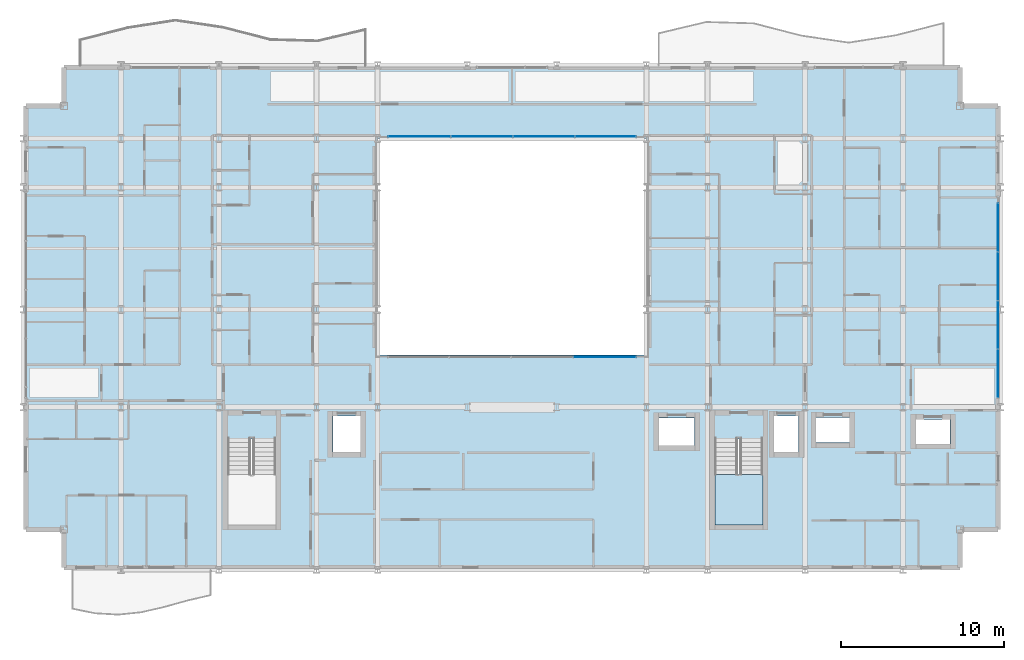
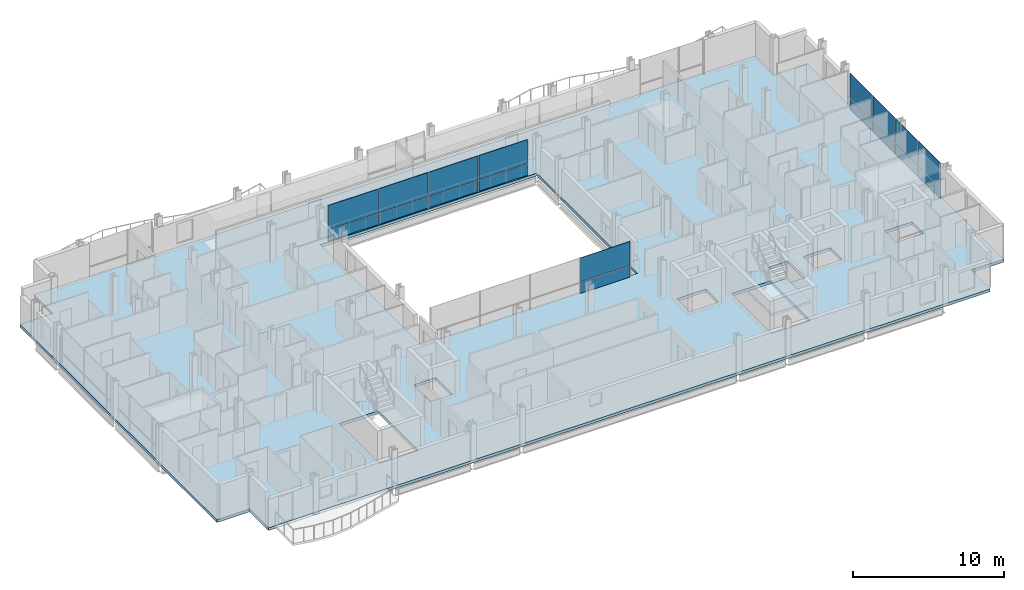
# One storey, part 27 of 41: 18 plates, 2 slabs, 4 elements without a shape of their own.
"""IFC4 building model written with IfcOpenShell, lengths in metres."""

import ifcopenshell
import ifcopenshell.guid

model = None  # the IFC model being written
_history = None  # IfcOwnerHistory: only IFC2X3 demands one
_inside = {}  # id of a spatial element -> (the spatial element, [elements in it])
_under = {}  # id of a project, library or spatial element -> (it, [spatial elements below it])
_declared = {}  # id of a project -> (the project, [libraries it declares])
_typed = {}  # id of a type object -> (the type object, [elements of that type])
_made_of = {}  # id of a material, layer set ... -> (it, [elements and type objects made of it])


def new_model(schema):
    """Start an empty IFC model of exactly this schema.

    Asked for "IFC4X3", IfcOpenShell would pick the latest addendum, in which some entities
    have other attributes; the version numbers below select the first issue.
    IFC2X3 requires an IfcOwnerHistory on every rooted entity: one is made here for all.
    """
    global model, _history
    if schema == "IFC4X3":
        model = ifcopenshell.file(schema_version=(4, 3, 0, 0))
    else:
        model = ifcopenshell.file(schema=schema)
    _inside.clear()
    _under.clear()
    _declared.clear()
    _typed.clear()
    _made_of.clear()
    _history = None
    if model.schema == "IFC2X3":
        org = make("IfcOrganization", Name="unknown")
        user = make(
            "IfcPersonAndOrganization",
            ThePerson=make("IfcPerson", FamilyName="unknown"),
            TheOrganization=org,
        )
        app = make(
            "IfcApplication",
            ApplicationDeveloper=org,
            Version="unknown",
            ApplicationFullName="unknown",
            ApplicationIdentifier="unknown",
        )
        _history = make(
            "IfcOwnerHistory",
            OwningUser=user,
            OwningApplication=app,
            ChangeAction="ADDED",
            CreationDate=0,
        )
    return model


def make(cls, **values):
    """One entity of the class cls with the attributes given. An attribute that is None is left unset."""
    return model.create_entity(
        cls, **{name: value for name, value in values.items() if value is not None}
    )


def rooted(cls, **values):
    """An entity with a GlobalId (a new one), such as an element, a storey or a relation."""
    return make(cls, GlobalId=ifcopenshell.guid.new(), OwnerHistory=_history, **values)


def si_unit(unit_type, name, prefix=None):
    """IfcSIUnit, for example si_unit("LENGTHUNIT", "METRE", prefix="MILLI")."""
    return make("IfcSIUnit", UnitType=unit_type, Prefix=prefix, Name=name)


def assignment(units):
    """IfcUnitAssignment: the units of a project."""
    return None if units is None else make("IfcUnitAssignment", Units=units)


def point(xyz):
    """IfcCartesianPoint."""
    return None if xyz is None else make("IfcCartesianPoint", Coordinates=xyz)


def direction(xyz):
    """IfcDirection."""
    return None if xyz is None else make("IfcDirection", DirectionRatios=xyz)


def frame(location, z_axis=None, x_axis=None):
    """IfcAxis2Placement3D, a coordinate frame: its origin and axes. An axis left out is left unset."""
    return make(
        "IfcAxis2Placement3D",
        Location=point(location),
        Axis=direction(z_axis),
        RefDirection=direction(x_axis),
    )


def frame_2d(location, x_axis=None):
    """IfcAxis2Placement2D, a coordinate frame in the plane: its origin and x axis."""
    return make(
        "IfcAxis2Placement2D", Location=point(location), RefDirection=direction(x_axis)
    )


def origin():
    """The frame at (0, 0, 0) with its axes left unset."""
    return frame((0.0, 0.0, 0.0))


def origin_2d():
    """The frame at (0, 0) in the plane with its x axis left unset."""
    return frame_2d((0.0, 0.0))


def place(relative_to, where):
    """IfcLocalPlacement: puts the frame where relative to a parent placement (None: the world)."""
    return make(
        "IfcLocalPlacement", PlacementRelTo=relative_to, RelativePlacement=where
    )


def context(
    kind, dimensions, precision=None, world=None, true_north=None, identifier=None
):
    """IfcGeometricRepresentationContext, for example the 3D "Model" context."""
    return make(
        "IfcGeometricRepresentationContext",
        ContextIdentifier=identifier,
        ContextType=kind,
        CoordinateSpaceDimension=dimensions,
        Precision=precision,
        WorldCoordinateSystem=world,
        TrueNorth=true_north,
    )


def subcontext(parent, identifier, kind, view, scale=None):
    """IfcGeometricRepresentationSubContext, for example "Body" below "Model"."""
    return make(
        "IfcGeometricRepresentationSubContext",
        ContextIdentifier=identifier,
        ContextType=kind,
        ParentContext=parent,
        TargetScale=scale,
        TargetView=view,
    )


def project(units=None, contexts=None):
    """IfcProject with its units and contexts."""
    return rooted(
        "IfcProject",
        Name="project",
        RepresentationContexts=contexts,
        UnitsInContext=assignment(units),
    )


def spatial(cls, under=None, at=None, **own):
    """A site, building, storey or space (cls), placed at a placement, below another one or the project."""
    s = rooted(cls, ObjectPlacement=at, **own)
    if under is not None:
        _under.setdefault(under.id(), (under, []))[1].append(s)
    return s


def polyline(points):
    """IfcPolyline through the points."""
    return make("IfcPolyline", Points=[point(p) for p in points])


def profile(cls, at=None, kind="AREA", **sizes):
    """A parametric profile (cls). Its sizes go by their IFC names, for example OverallWidth=200.0."""
    return make(cls, ProfileType=kind, Position=at, **sizes)


def rectangle(**sizes):
    """IfcRectangleProfileDef."""
    return profile("IfcRectangleProfileDef", **sizes)


def outline(outer, holes=None, kind="AREA"):
    """IfcArbitraryClosedProfileDef: a profile drawn as a closed curve; with holes, ...WithVoids."""
    if holes is None:
        return make("IfcArbitraryClosedProfileDef", ProfileType=kind, OuterCurve=outer)
    return make(
        "IfcArbitraryProfileDefWithVoids",
        ProfileType=kind,
        OuterCurve=outer,
        InnerCurves=holes,
    )


def extrude(swept, where, along, depth):
    """IfcExtrudedAreaSolid: the profile swept, set in the frame where, extruded along a direction by depth."""
    return make(
        "IfcExtrudedAreaSolid",
        SweptArea=swept,
        Position=where,
        ExtrudedDirection=direction(along),
        Depth=depth,
    )


def shape(context_of_items, identifier, shape_type, items):
    """IfcShapeRepresentation: the items that make up one representation, for example the "Body"."""
    return make(
        "IfcShapeRepresentation",
        ContextOfItems=context_of_items,
        RepresentationIdentifier=identifier,
        RepresentationType=shape_type,
        Items=items,
    )


def material(Name=None, Category=None):
    """IfcMaterial."""
    return make("IfcMaterial", Name=Name, Category=Category)


def layer(
    of_material, thickness, ventilated=None, Name=None, Category=None, Priority=None
):
    """IfcMaterialLayer: one layer of a wall or slab, of a material (None: an air gap)."""
    return make(
        "IfcMaterialLayer",
        Material=of_material,
        LayerThickness=thickness,
        IsVentilated=ventilated,
        Name=Name,
        Category=Category,
        Priority=Priority,
    )


def layer_set(layers, Name=None):
    """IfcMaterialLayerSet."""
    return make("IfcMaterialLayerSet", MaterialLayers=layers, LayerSetName=Name)


def made_of(thing, what):
    """Note that an element or type object is made of a material, layer set ...; save() writes the relation."""
    if what is not None:
        _made_of.setdefault(what.id(), (what, []))[1].append(thing)
    return thing


def type_object(cls, material=None, **own):
    """A type object (cls), such as IfcWallType, which elements share."""
    return made_of(rooted(cls, **own), material)


def element(
    cls,
    number,
    at=None,
    inside=None,
    cuts=None,
    type_object=None,
    material=None,
    context=None,
    identifier="Body",
    shape_type=None,
    held_by="IfcProductDefinitionShape",
    body=None,
    shapes=None,
    **own,
):
    """One element of the class cls, such as IfcWall. Its Tag is "e" and its number.

    at: its placement. inside: the storey or other place that contains it. cuts: it is an
    opening in that element (IfcRelVoidsElement). A single representation is given by context,
    identifier, shape_type and body (its items); several are given by shapes. held_by: the class
    of the entity that holds the representations. save() writes the other relations.
    """
    e = rooted(cls, Tag="e%d" % number, ObjectPlacement=at, **own)
    if body is not None:
        shapes = [shape(context, identifier, shape_type, body)]
    if shapes is not None:
        e.Representation = make(held_by, Representations=shapes)
    if inside is not None:
        _inside.setdefault(inside.id(), (inside, []))[1].append(e)
    if cuts is not None:
        rooted(
            "IfcRelVoidsElement", RelatingBuildingElement=cuts, RelatedOpeningElement=e
        )
    if type_object is not None:
        _typed.setdefault(type_object.id(), (type_object, []))[1].append(e)
    return made_of(e, material)


def aggregate(whole, parts):
    """IfcRelAggregates: a whole, such as a stair, and the parts it consists of."""
    return rooted("IfcRelAggregates", RelatingObject=whole, RelatedObjects=parts)


def save(model, path):
    """Write the relations noted so far, then the file.

    IfcRelAggregates (storeys below a building ...), IfcRelContainedInSpatialStructure (elements
    in a storey), IfcRelDefinesByType, IfcRelAssociatesMaterial and IfcRelDeclares: one each for
    every whole, place, type object, material and project.
    """
    for whole, parts in _under.values():
        aggregate(whole, parts)
    for where, things in _inside.values():
        rooted(
            "IfcRelContainedInSpatialStructure",
            RelatedElements=things,
            RelatingStructure=where,
        )
    for kind, things in _typed.values():
        rooted("IfcRelDefinesByType", RelatedObjects=things, RelatingType=kind)
    for what, things in _made_of.values():
        rooted("IfcRelAssociatesMaterial", RelatedObjects=things, RelatingMaterial=what)
    for by, libraries in _declared.values():
        rooted("IfcRelDeclares", RelatingContext=by, RelatedDefinitions=libraries)
    model.write(path)


model = new_model("IFC4")

# Units and contexts
model_context = context("Model", 3, precision=1e-05, world=origin(), true_north=direction((0.0, 1.0)))
body_context = subcontext(model_context, "Body", "Model", "MODEL_VIEW")
ifc_project = project(units=[si_unit("LENGTHUNIT", "METRE"), si_unit("AREAUNIT", "SQUARE_METRE"), si_unit("VOLUMEUNIT", "CUBIC_METRE"), si_unit("PLANEANGLEUNIT", "RADIAN"), si_unit("MASSUNIT", "GRAM", prefix="KILO")], contexts=[model_context])

# Site, building, storey
site_placement = place(None, origin())
site = spatial("IfcSite", under=ifc_project, at=site_placement, CompositionType="ELEMENT")
building_placement = place(site_placement, origin())
building = spatial("IfcBuilding", under=site, at=building_placement, Name="Brevholm Reach", CompositionType="ELEMENT")
storey_placement = place(building_placement, frame((0.0, 0.0, 43.5)))
storey = spatial("IfcBuildingStorey", under=building, at=storey_placement, Name="L11", CompositionType="ELEMENT", Elevation=43.5)

# Curtain wall, plates
ifc_material_1 = material(Name="Dark Anodised Aluminium 6063-T6 and Solar-Control Glass", Category="aluminium")
ifc_layer_1 = layer(ifc_material_1, 0.14990234375)
ifc_layer_set_1 = layer_set([ifc_layer_1], Name="Dark Anodised Aluminium 6063-T6 and Solar-Control Glass")
curtain_wall_type_1 = type_object("IfcCurtainWallType", Name="CW-01", PredefinedType="NOTDEFINED", material=ifc_layer_set_1)
curtain_wall_1_placement = place(storey_placement, origin())
curtain_wall_1 = element("IfcCurtainWall", 1, at=curtain_wall_1_placement, inside=storey, type_object=curtain_wall_type_1, Name="L11 Curtain Wall CW-01", PredefinedType="NOTDEFINED")
ifc_material_2 = material(Name="Dark Solar-Control Double-Glazed IGU Glass", Category="glass")
ifc_layer_2 = layer(ifc_material_2, 0.028076171875)
ifc_layer_set_2 = layer_set([ifc_layer_2], Name="Dark Solar-Control Double-Glazed IGU Glass")
plate_type_1 = type_object("IfcPlateType", Name="CWP-GLZ-28", PredefinedType="CURTAIN_PANEL", material=ifc_layer_set_2)
plate_1_placement = place(storey_placement, frame((59.85009765625, 12.066162109375, 0.0), z_axis=(0.0, 0.0, 1.0), x_axis=(0.0, 1.0, 0.0)))
plate_1 = element("IfcPlate", 2, at=plate_1_placement, type_object=plate_type_1, Name="CP-01 Glazing Panel 1.1", PredefinedType="CURTAIN_PANEL", context=body_context, shape_type="SweptSolid", body=[
    extrude(rectangle(XDim=2.902587890625, YDim=0.028076171875, at=origin_2d()), origin(), (0.0, 0.0, 1.0), 0.867431640625),
])
plate_2_placement = place(storey_placement, frame((59.85009765625, 12.066162109375, 0.9326171875), z_axis=(0.0, 0.0, 1.0), x_axis=(0.0, 1.0, 0.0)))
plate_2 = element("IfcPlate", 3, at=plate_2_placement, type_object=plate_type_1, Name="CP-01 Glazing Panel 1.2", PredefinedType="CURTAIN_PANEL", context=body_context, shape_type="SweptSolid", body=[
    extrude(rectangle(XDim=2.902587890625, YDim=0.028076171875, at=origin_2d()), origin(), (0.0, 0.0, 1.0), 1.9375),
])
plate_3_placement = place(storey_placement, frame((59.85009765625, 15.050048828125, 0.0), z_axis=(0.0, 0.0, 1.0), x_axis=(0.0, 1.0, 0.0)))
plate_3 = element("IfcPlate", 4, at=plate_3_placement, type_object=plate_type_1, Name="CP-01 Glazing Panel 2.1", PredefinedType="CURTAIN_PANEL", context=body_context, shape_type="SweptSolid", body=[
    extrude(rectangle(XDim=2.93505859375, YDim=0.028076171875, at=origin_2d()), origin(), (0.0, 0.0, 1.0), 0.867431640625),
])
plate_4_placement = place(storey_placement, frame((59.85009765625, 15.050048828125, 0.9326171875), z_axis=(0.0, 0.0, 1.0), x_axis=(0.0, 1.0, 0.0)))
plate_4 = element("IfcPlate", 5, at=plate_4_placement, type_object=plate_type_1, Name="CP-01 Glazing Panel 2.2", PredefinedType="CURTAIN_PANEL", context=body_context, shape_type="SweptSolid", body=[
    extrude(rectangle(XDim=2.93505859375, YDim=0.028076171875, at=origin_2d()), origin(), (0.0, 0.0, 1.0), 1.9375),
])
plate_5_placement = place(storey_placement, frame((59.85009765625, 18.050048828125, 0.0), z_axis=(0.0, 0.0, 1.0), x_axis=(0.0, 1.0, 0.0)))
plate_5 = element("IfcPlate", 6, at=plate_5_placement, type_object=plate_type_1, Name="CP-01 Glazing Panel 3.1", PredefinedType="CURTAIN_PANEL", context=body_context, shape_type="SweptSolid", body=[
    extrude(rectangle(XDim=2.93505859375, YDim=0.028076171875, at=origin_2d()), origin(), (0.0, 0.0, 1.0), 0.867431640625),
])
plate_6_placement = place(storey_placement, frame((59.85009765625, 18.050048828125, 0.9326171875), z_axis=(0.0, 0.0, 1.0), x_axis=(0.0, 1.0, 0.0)))
plate_6 = element("IfcPlate", 7, at=plate_6_placement, type_object=plate_type_1, Name="CP-01 Glazing Panel 3.2", PredefinedType="CURTAIN_PANEL", context=body_context, shape_type="SweptSolid", body=[
    extrude(rectangle(XDim=2.93505859375, YDim=0.028076171875, at=origin_2d()), origin(), (0.0, 0.0, 1.0), 1.9375),
])
plate_7_placement = place(storey_placement, frame((59.85009765625, 21.050048828125, 0.0), z_axis=(0.0, 0.0, 1.0), x_axis=(0.0, 1.0, 0.0)))
plate_7 = element("IfcPlate", 8, at=plate_7_placement, type_object=plate_type_1, Name="CP-01 Glazing Panel 4.1", PredefinedType="CURTAIN_PANEL", context=body_context, shape_type="SweptSolid", body=[
    extrude(rectangle(XDim=2.93505859375, YDim=0.028076171875, at=origin_2d()), origin(), (0.0, 0.0, 1.0), 0.867431640625),
])
plate_8_placement = place(storey_placement, frame((59.85009765625, 21.050048828125, 0.9326171875), z_axis=(0.0, 0.0, 1.0), x_axis=(0.0, 1.0, 0.0)))
plate_8 = element("IfcPlate", 9, at=plate_8_placement, type_object=plate_type_1, Name="CP-01 Glazing Panel 4.2", PredefinedType="CURTAIN_PANEL", context=body_context, shape_type="SweptSolid", body=[
    extrude(rectangle(XDim=2.93505859375, YDim=0.028076171875, at=origin_2d()), origin(), (0.0, 0.0, 1.0), 1.9375),
])
aggregate(curtain_wall_1, [plate_1, plate_2, plate_3, plate_4, plate_5, plate_6, plate_7, plate_8])

ifc_material_3 = material(Name="Dark Anodised Aluminium 6063-T6 and Solar-Control Glass", Category="aluminium")
ifc_layer_3 = layer(ifc_material_3, 0.139892578125)
ifc_layer_set_3 = layer_set([ifc_layer_3], Name="Dark Anodised Aluminium 6063-T6 and Solar-Control Glass")
curtain_wall_type_2 = type_object("IfcCurtainWallType", Name="CW-02", PredefinedType="NOTDEFINED", material=ifc_layer_set_3)
curtain_wall_2_placement = place(storey_placement, origin())
curtain_wall_2 = element("IfcCurtainWall", 10, at=curtain_wall_2_placement, inside=storey, type_object=curtain_wall_type_2, Name="L11 Curtain Wall CW-02", PredefinedType="NOTDEFINED")
ifc_material_4 = material(Name="Low-Iron Laminated Acoustic Glass", Category="glass")
ifc_layer_4 = layer(ifc_material_4, 0.035888671875)
ifc_layer_set_4 = layer_set([ifc_layer_4], Name="Low-Iron Laminated Acoustic Glass")
plate_type_2 = type_object("IfcPlateType", Name="CWP-GLZ-36", PredefinedType="CURTAIN_PANEL", material=ifc_layer_set_4)
plate_9_placement = place(storey_placement, frame((35.68505859375, 13.080078125, 0.0), z_axis=(0.0, 0.0, 1.0), x_axis=(1.0, 0.0, 0.0)))
plate_9 = element("IfcPlate", 11, at=plate_9_placement, type_object=plate_type_2, Name="CP-02 Glazing Panel 4.1", PredefinedType="CURTAIN_PANEL", context=body_context, shape_type="SweptSolid", body=[
    extrude(rectangle(XDim=3.81005859375, YDim=0.035888671875, at=origin_2d()), origin(), (0.0, 0.0, 1.0), 0.8701171875),
])
plate_10_placement = place(storey_placement, frame((35.68505859375, 13.080078125, 0.929931640625), z_axis=(0.0, 0.0, 1.0), x_axis=(1.0, 0.0, 0.0)))
plate_10 = element("IfcPlate", 12, at=plate_10_placement, type_object=plate_type_2, Name="CP-02 Glazing Panel 4.2", PredefinedType="CURTAIN_PANEL", context=body_context, shape_type="SweptSolid", body=[
    extrude(rectangle(XDim=3.81005859375, YDim=0.035888671875, at=origin_2d()), origin(), (0.0, 0.0, 1.0), 1.93994140625),
])
aggregate(curtain_wall_2, [plate_9, plate_10])

curtain_wall_3_placement = place(storey_placement, origin())
curtain_wall_3 = element("IfcCurtainWall", 13, at=curtain_wall_3_placement, inside=storey, type_object=curtain_wall_type_2, Name="L11 Curtain Wall CW-02", PredefinedType="NOTDEFINED")
plate_11_placement = place(storey_placement, frame((35.735107421875, 26.6201171875, 0.0), z_axis=(0.0, 0.0, 1.0), x_axis=(-1.0, 0.0, 0.0)))
plate_11 = element("IfcPlate", 14, at=plate_11_placement, type_object=plate_type_2, Name="CP-02 Glazing Panel 1.1", PredefinedType="CURTAIN_PANEL", context=body_context, shape_type="SweptSolid", body=[
    extrude(rectangle(XDim=3.7099609375, YDim=0.035888671875, at=origin_2d()), origin(), (0.0, 0.0, 1.0), 0.8701171875),
])
plate_12_placement = place(storey_placement, frame((35.735107421875, 26.6201171875, 0.929931640625), z_axis=(0.0, 0.0, 1.0), x_axis=(-1.0, 0.0, 0.0)))
plate_12 = element("IfcPlate", 15, at=plate_12_placement, type_object=plate_type_2, Name="CP-02 Glazing Panel 1.2", PredefinedType="CURTAIN_PANEL", context=body_context, shape_type="SweptSolid", body=[
    extrude(rectangle(XDim=3.7099609375, YDim=0.035888671875, at=origin_2d()), origin(), (0.0, 0.0, 1.0), 1.93994140625),
])
plate_13_placement = place(storey_placement, frame((31.949951171875, 26.6201171875, 0.0), z_axis=(0.0, 0.0, 1.0), x_axis=(-1.0, 0.0, 0.0)))
plate_13 = element("IfcPlate", 16, at=plate_13_placement, type_object=plate_type_2, Name="CP-02 Glazing Panel 2.1", PredefinedType="CURTAIN_PANEL", context=body_context, shape_type="SweptSolid", body=[
    extrude(rectangle(XDim=3.739990234375, YDim=0.035888671875, at=origin_2d()), origin(), (0.0, 0.0, 1.0), 0.8701171875),
])
plate_14_placement = place(storey_placement, frame((31.949951171875, 26.6201171875, 0.929931640625), z_axis=(0.0, 0.0, 1.0), x_axis=(-1.0, 0.0, 0.0)))
plate_14 = element("IfcPlate", 17, at=plate_14_placement, type_object=plate_type_2, Name="CP-02 Glazing Panel 2.2", PredefinedType="CURTAIN_PANEL", context=body_context, shape_type="SweptSolid", body=[
    extrude(rectangle(XDim=3.739990234375, YDim=0.035888671875, at=origin_2d()), origin(), (0.0, 0.0, 1.0), 1.93994140625),
])
plate_15_placement = place(storey_placement, frame((28.14990234375, 26.6201171875, 0.0), z_axis=(0.0, 0.0, 1.0), x_axis=(-1.0, 0.0, 0.0)))
plate_15 = element("IfcPlate", 18, at=plate_15_placement, type_object=plate_type_2, Name="CP-02 Glazing Panel 3.1", PredefinedType="CURTAIN_PANEL", context=body_context, shape_type="SweptSolid", body=[
    extrude(rectangle(XDim=3.739990234375, YDim=0.035888671875, at=origin_2d()), origin(), (0.0, 0.0, 1.0), 0.8701171875),
])
plate_16_placement = place(storey_placement, frame((28.14990234375, 26.6201171875, 0.929931640625), z_axis=(0.0, 0.0, 1.0), x_axis=(-1.0, 0.0, 0.0)))
plate_16 = element("IfcPlate", 19, at=plate_16_placement, type_object=plate_type_2, Name="CP-02 Glazing Panel 3.2", PredefinedType="CURTAIN_PANEL", context=body_context, shape_type="SweptSolid", body=[
    extrude(rectangle(XDim=3.739990234375, YDim=0.035888671875, at=origin_2d()), origin(), (0.0, 0.0, 1.0), 1.93994140625),
])
plate_17_placement = place(storey_placement, frame((24.31494140625, 26.6201171875, 0.0), z_axis=(0.0, 0.0, 1.0), x_axis=(-1.0, 0.0, 0.0)))
plate_17 = element("IfcPlate", 20, at=plate_17_placement, type_object=plate_type_2, Name="CP-02 Glazing Panel 4.1", PredefinedType="CURTAIN_PANEL", context=body_context, shape_type="SweptSolid", body=[
    extrude(rectangle(XDim=3.81005859375, YDim=0.035888671875, at=origin_2d()), origin(), (0.0, 0.0, 1.0), 0.8701171875),
])
plate_18_placement = place(storey_placement, frame((24.31494140625, 26.6201171875, 0.929931640625), z_axis=(0.0, 0.0, 1.0), x_axis=(-1.0, 0.0, 0.0)))
plate_18 = element("IfcPlate", 21, at=plate_18_placement, type_object=plate_type_2, Name="CP-02 Glazing Panel 4.2", PredefinedType="CURTAIN_PANEL", context=body_context, shape_type="SweptSolid", body=[
    extrude(rectangle(XDim=3.81005859375, YDim=0.035888671875, at=origin_2d()), origin(), (0.0, 0.0, 1.0), 1.93994140625),
])
aggregate(curtain_wall_3, [plate_11, plate_12, plate_13, plate_14, plate_15, plate_16, plate_17, plate_18])

# Slab
ifc_material_5 = material(Name="Concrete C40/50", Category="concrete")
ifc_layer_5 = layer(ifc_material_5, 0.22998046875)
ifc_layer_set_5 = layer_set([ifc_layer_5], Name="Concrete C40/50")
slab_type_1 = type_object("IfcSlabType", Name="SLB-FL-230", PredefinedType="FLOOR", material=ifc_layer_set_5)
slab_1_placement = place(storey_placement, frame((0.0, 0.0, -0.22998046875)))
element("IfcSlab", 22, at=slab_1_placement, inside=storey, type_object=slab_type_1, Name="L11 Suspended Floor Slab (main)", PredefinedType="FLOOR", context=body_context, shape_type="SweptSolid", body=[
    extrude(outline(polyline([(2.5, 0.0), (57.5, 0.0), (57.5, 2.5), (60.0, 2.5), (60.0, 28.5), (57.5, 28.5), (57.5, 31.0), (2.5, 31.0), (2.5, 28.5), (0.0, 28.5), (0.0, 2.5), (2.5, 2.5), (2.5, 0.0)]), holes=[polyline([(21.75, 13.199951171875), (38.25, 13.199951171875), (38.25, 26.5), (21.75, 26.5), (21.75, 13.199951171875)]), polyline([(12.550048828125, 2.780029296875), (15.5, 2.780029296875), (15.5, 8.044921875), (12.550048828125, 8.044921875), (12.550048828125, 2.780029296875)]), polyline([(42.449951171875, 2.780029296875), (45.39990234375, 2.780029296875), (45.39990234375, 8.044921875), (42.449951171875, 8.044921875), (42.449951171875, 2.780029296875)]), polyline([(19.0, 7.25), (20.699951171875, 7.25), (20.699951171875, 9.449951171875), (19.0, 9.449951171875), (19.0, 7.25)]), polyline([(46.10009765625, 7.25), (47.60009765625, 7.25), (47.60009765625, 9.449951171875), (46.10009765625, 9.449951171875), (46.10009765625, 7.25)]), polyline([(48.675048828125, 7.824951171875), (50.72509765625, 7.824951171875), (50.72509765625, 9.375), (48.675048828125, 9.375), (48.675048828125, 7.824951171875)]), polyline([(54.800048828125, 7.75), (56.89990234375, 7.75), (56.89990234375, 9.25), (54.800048828125, 9.25), (54.800048828125, 7.75)]), polyline([(39.02001953125, 7.64990234375), (41.219970703125, 7.64990234375), (41.219970703125, 9.35009765625), (39.02001953125, 9.35009765625), (39.02001953125, 7.64990234375)])]), origin(), (0.0, 0.0, 1.0), 0.22998046875),
])

# Stair, slab
ifc_material_6 = material(Name="Precast Concrete C40/50", Category="concrete")
stair_type = type_object("IfcStairType", Name="STR-ESC-1400", PredefinedType="DOUBLE_RETURN_STAIR", material=ifc_material_6)
stair_placement = place(storey_placement, origin())
stair = element("IfcStair", 23, at=stair_placement, inside=storey, type_object=stair_type, Name="L11 ST-2", PredefinedType="DOUBLE_RETURN_STAIR")
ifc_material_7 = material(Name="Concrete C40/50", Category="concrete")
ifc_layer_6 = layer(ifc_material_7, 0.199951171875)
ifc_layer_set_6 = layer_set([ifc_layer_6], Name="Concrete C40/50")
slab_type_2 = type_object("IfcSlabType", Name="SLB-LND-200", PredefinedType="LANDING", material=ifc_layer_set_6)
slab_2_placement = place(storey_placement, frame((0.0, 0.0, 1.35009765625)))
slab_2 = element("IfcSlab", 24, at=slab_2_placement, type_object=slab_type_2, Name="ST-2 landing 1", PredefinedType="LANDING", context=body_context, shape_type="SweptSolid", body=[
    extrude(outline(polyline([(42.449951171875, 5.860107421875), (42.449951171875, 2.780029296875), (45.39990234375, 2.780029296875), (45.39990234375, 5.860107421875), (42.449951171875, 5.860107421875)])), origin(), (0.0, 0.0, 1.0), 0.199951171875),
])
aggregate(stair, [slab_2])

save(model, "model.ifc")
